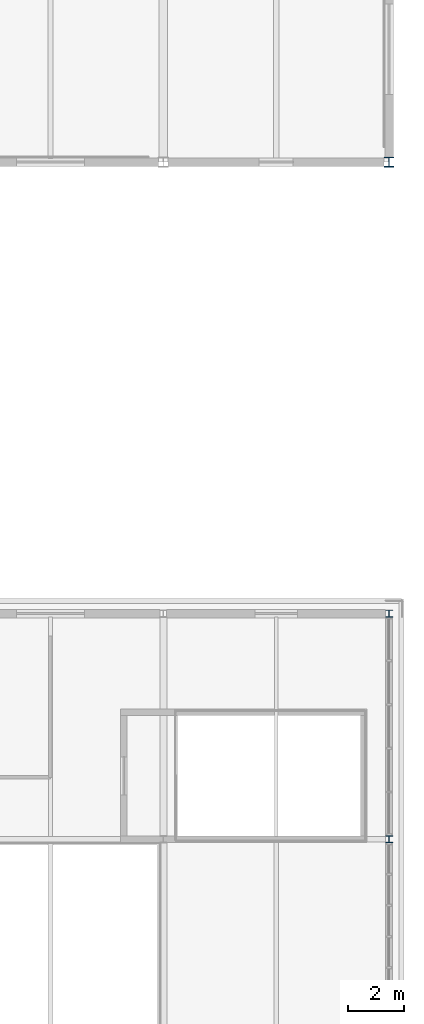
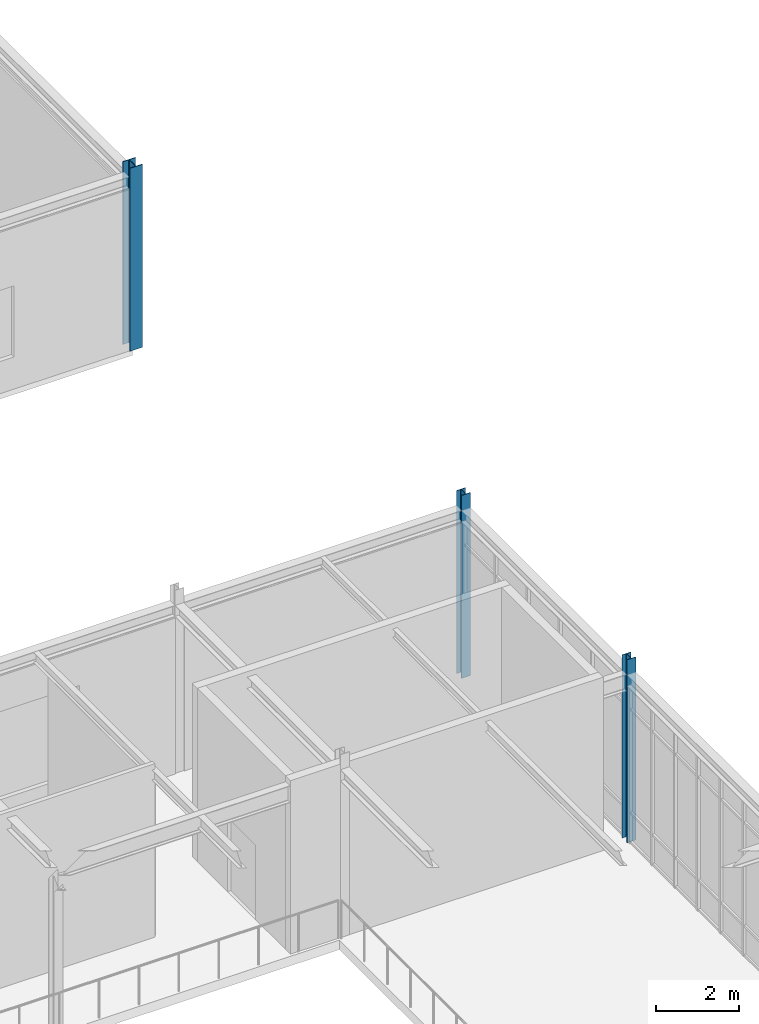
# One storey, part 20 of 108: 3 columns.
"""IFC4 building model written with IfcOpenShell, lengths in metres."""

from ifc_helpers import new_model, si_unit, direction, frame, origin, origin_2d, place, context, subcontext, project, spatial, i_section, extrude, material, material_profile, profile_set, type_object, element, save


model = new_model("IFC4")

# Units and contexts
model_context = context("Model", 3, precision=1e-05, world=origin(), true_north=direction((0.0, 1.0)))
body_context = subcontext(model_context, "Body", "Model", "MODEL_VIEW")
ifc_project = project(units=[si_unit("LENGTHUNIT", "METRE"), si_unit("AREAUNIT", "SQUARE_METRE"), si_unit("VOLUMEUNIT", "CUBIC_METRE"), si_unit("PLANEANGLEUNIT", "RADIAN"), si_unit("MASSUNIT", "GRAM", prefix="KILO")], contexts=[model_context])

# Site, building, storey
site_placement = place(None, origin())
site = spatial("IfcSite", under=ifc_project, at=site_placement, CompositionType="ELEMENT")
building_placement = place(site_placement, origin())
building = spatial("IfcBuilding", under=site, at=building_placement, Name="Zhaolan Boulevard Law Courts", CompositionType="ELEMENT")
storey_placement = place(building_placement, frame((0.0, 0.0, 10.800048828125)))
storey = spatial("IfcBuildingStorey", under=building, at=storey_placement, Name="L02", CompositionType="ELEMENT", Elevation=10.800048828125)

# Columns
ifc_material_1 = material(Name="Structural steel Q355B", Category="steel")
ifc_material_profile_1 = material_profile(ifc_material_1, i_section(OverallWidth=0.25, OverallDepth=0.25, WebThickness=0.009033203125, FlangeThickness=0.013916015625, FilletRadius=0.01611328125, at=origin_2d()), Name="HW250x250")
ifc_profile_set_1 = profile_set([ifc_material_profile_1], Name="Structural steel Q355B")
column_type_1 = type_object("IfcColumnType", Name="COL HW250", PredefinedType="COLUMN", material=ifc_profile_set_1)
for number, where, z_axis, x_axis, name in (
    (1, (164.0, 38.0, 0.0), (0.0, 0.0, 1.0), (1.0, 0.0, 0.0), "Column C-21F (L02)"),
    (2, (164.0, 46.0, 0.0), (0.0, 0.0, 1.0), (1.0, 0.0, 0.0), "Column C-21G (L02)"),
):
    element("IfcColumn", number, at=place(storey_placement, frame(where, z_axis=z_axis, x_axis=x_axis)), inside=storey, type_object=column_type_1, Name=name, PredefinedType="COLUMN", context=body_context, shape_type="SweptSolid", body=[
        extrude(i_section(OverallWidth=0.25, OverallDepth=0.25, WebThickness=0.009033203125, FlangeThickness=0.013916015625, FilletRadius=0.01611328125, at=origin_2d()), origin(), (0.0, 0.0, 1.0), 5.39990234375),
    ])
ifc_material_2 = material(Name="Structural steel Q355B", Category="steel")
ifc_material_profile_2 = material_profile(ifc_material_2, i_section(OverallWidth=0.35009765625, OverallDepth=0.35009765625, WebThickness=0.011962890625, FlangeThickness=0.01904296875, FilletRadius=0.02001953125, at=origin_2d()), Name="HW350x350")
ifc_profile_set_2 = profile_set([ifc_material_profile_2], Name="Structural steel Q355B")
column_type_2 = type_object("IfcColumnType", Name="COL HW350", PredefinedType="COLUMN", material=ifc_profile_set_2)
column_placement = place(storey_placement, frame((164.0, 62.0, 0.0), z_axis=(0.0, 0.0, 1.0), x_axis=(1.0, 0.0, 0.0)))
element("IfcColumn", 3, at=column_placement, inside=storey, type_object=column_type_2, Name="Column C-21J (L02)", PredefinedType="COLUMN", context=body_context, shape_type="SweptSolid", body=[
    extrude(i_section(OverallWidth=0.35009765625, OverallDepth=0.35009765625, WebThickness=0.011962890625, FlangeThickness=0.01904296875, FilletRadius=0.02001953125, at=origin_2d()), origin(), (0.0, 0.0, 1.0), 5.39990234375),
])

save(model, "model.ifc")
